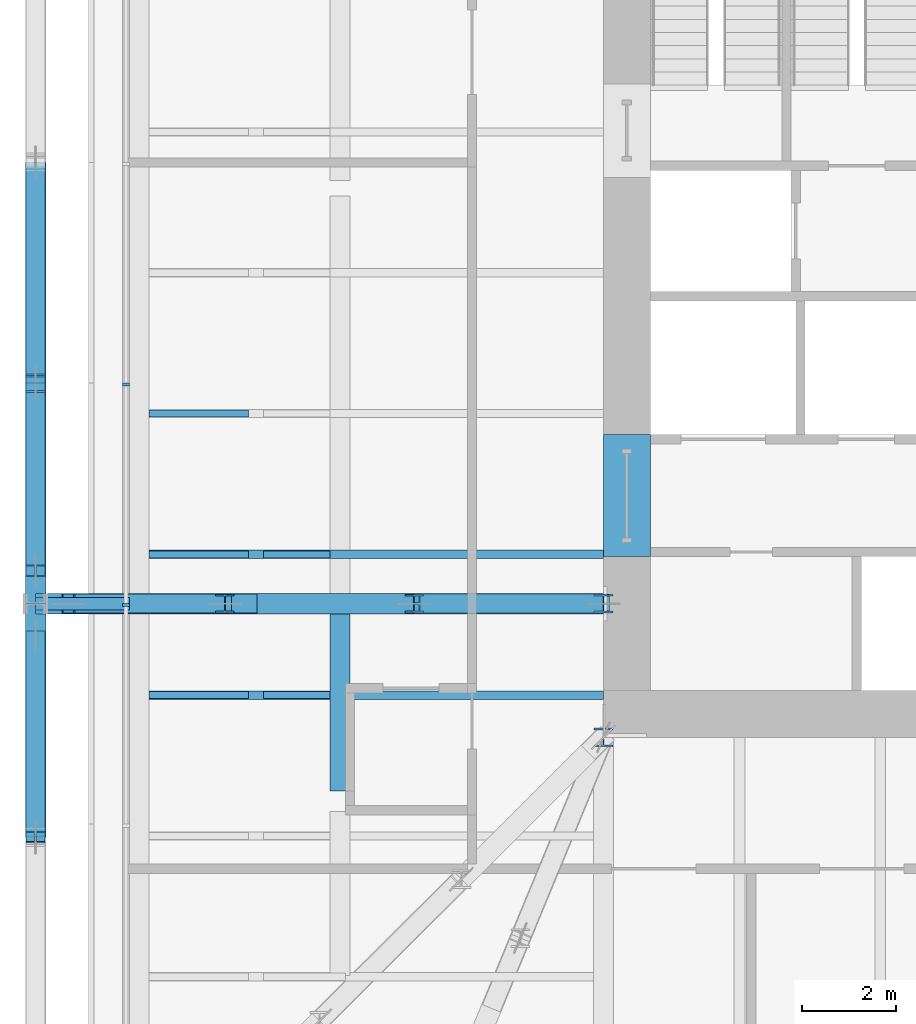
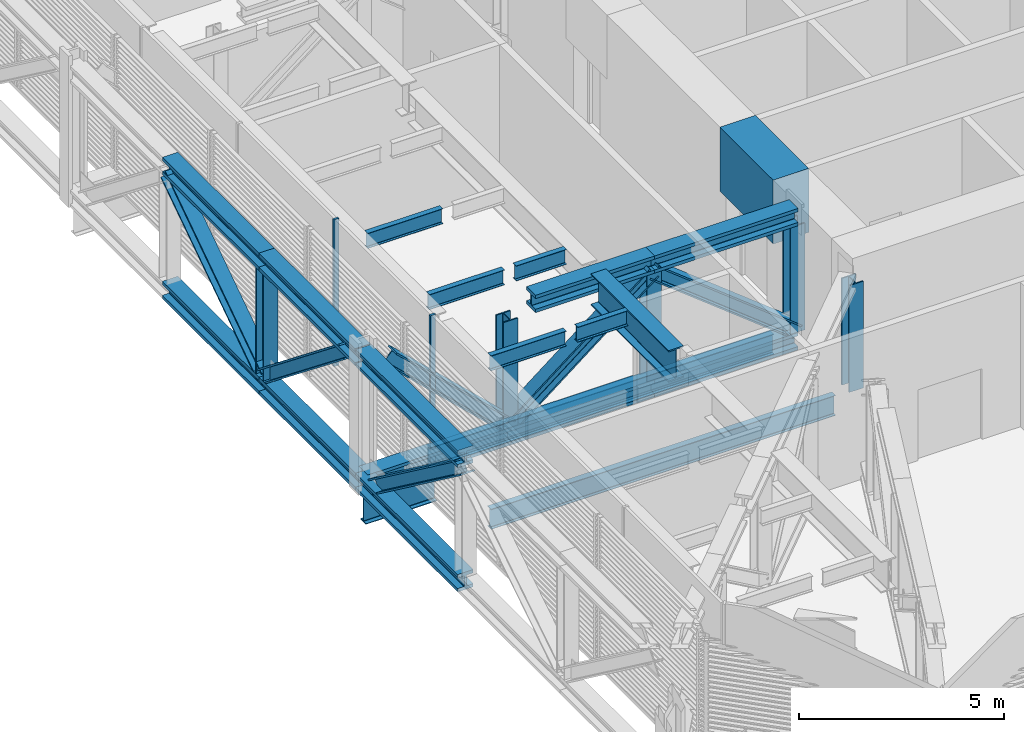
# One storey, part 6 of 33: 21 beams, 13 members, 1 element without a shape of its own.
"""IFC4 building model written with IfcOpenShell, lengths in metres."""

from ifc_helpers import new_model, si_unit, direction, frame, origin, origin_2d, place, context, subcontext, project, spatial, rectangle, i_section, extrude, material, layer, layer_set, material_profile, profile_set, type_object, element, aggregate, save


model = new_model("IFC4")

# Units and contexts
model_context = context("Model", 3, precision=1e-05, world=origin(), true_north=direction((0.0, 1.0)))
body_context = subcontext(model_context, "Body", "Model", "MODEL_VIEW")
ifc_project = project(units=[si_unit("LENGTHUNIT", "METRE"), si_unit("AREAUNIT", "SQUARE_METRE"), si_unit("VOLUMEUNIT", "CUBIC_METRE"), si_unit("PLANEANGLEUNIT", "RADIAN"), si_unit("MASSUNIT", "GRAM", prefix="KILO")], contexts=[model_context])

# Site, building, storey
site_placement = place(None, origin())
site = spatial("IfcSite", under=ifc_project, at=site_placement, CompositionType="ELEMENT")
building_placement = place(site_placement, origin())
building = spatial("IfcBuilding", under=site, at=building_placement, Name="Millrace Tower", CompositionType="ELEMENT")
storey_placement = place(building_placement, frame((0.0, 0.0, 64.10009765625)))
storey = spatial("IfcBuildingStorey", under=building, at=storey_placement, Name="L14", CompositionType="ELEMENT", Elevation=64.10009765625)

# Beams
ifc_material_1 = material(Name="Steel ASTM A992 Grade 50", Category="steel")
ifc_material_profile_1 = material_profile(ifc_material_1, i_section(OverallWidth=0.436767578125, OverallDepth=0.51318359375, WebThickness=0.060546875, FlangeThickness=0.096923828125, FilletRadius=0.01513671875, at=origin_2d()))
ifc_profile_set_1 = profile_set([ifc_material_profile_1], Name="Steel ASTM A992 Grade 50")
beam_type_1 = type_object("IfcBeamType", Name="Belt truss chord W14x550", PredefinedType="BEAM", material=ifc_profile_set_1)
for number, where, z_axis, x_axis, name in (
    (1, (-27.0, 2.35009765625, 0.25634765625), (0.0, -1.0, 0.0), (1.0, 0.0, 0.0), "BLT-L14-R15-B02"),
    (2, (-27.0, 2.35009765625, 3.943359375), (0.0, -1.0, 0.0), (1.0, 0.0, 0.0), "BLT-L14-R15-T02"),
):
    element("IfcBeam", number, at=place(storey_placement, frame(where, z_axis=z_axis, x_axis=x_axis)), inside=storey, type_object=beam_type_1, Name=name, PredefinedType="BEAM", context=body_context, shape_type="SweptSolid", body=[
        extrude(i_section(OverallWidth=0.436767578125, OverallDepth=0.51318359375, WebThickness=0.060546875, FlangeThickness=0.096923828125, FilletRadius=0.01513671875, at=origin_2d()), origin(), (0.0, 0.0, 1.0), 4.7001953125),
    ])
beam_1_placement = place(storey_placement, frame((-27.0, -2.35009765625, 0.25634765625), z_axis=(0.0, -1.0, 0.0), x_axis=(1.0, 0.0, 0.0)))
element("IfcBeam", 3, at=beam_1_placement, inside=storey, type_object=beam_type_1, Name="BLT-L14-R15-B03", PredefinedType="BEAM", context=body_context, shape_type="SweptSolid", body=[
    extrude(i_section(OverallWidth=0.436767578125, OverallDepth=0.51318359375, WebThickness=0.060546875, FlangeThickness=0.096923828125, FilletRadius=0.01513671875, at=origin_2d()), origin(), (0.0, 0.0, 1.0), 4.699951171875),
])
beam_2_placement = place(storey_placement, frame((-27.0, -7.050048828125, 0.25634765625), z_axis=(0.0, -1.0, 0.0), x_axis=(1.0, 0.0, 0.0)))
element("IfcBeam", 4, at=beam_2_placement, inside=storey, type_object=beam_type_1, Name="BLT-L14-R16-B01", PredefinedType="BEAM", context=body_context, shape_type="SweptSolid", body=[
    extrude(i_section(OverallWidth=0.436767578125, OverallDepth=0.51318359375, WebThickness=0.060546875, FlangeThickness=0.096923828125, FilletRadius=0.01513671875, at=origin_2d()), origin(), (0.0, 0.0, 1.0), 4.97607421875),
])
beam_3_placement = place(storey_placement, frame((-27.0, -2.35009765625, 3.943359375), z_axis=(0.0, -1.0, 0.0), x_axis=(1.0, 0.0, 0.0)))
element("IfcBeam", 5, at=beam_3_placement, inside=storey, type_object=beam_type_1, Name="BLT-L14-R15-T03", PredefinedType="BEAM", context=body_context, shape_type="SweptSolid", body=[
    extrude(i_section(OverallWidth=0.436767578125, OverallDepth=0.51318359375, WebThickness=0.060546875, FlangeThickness=0.096923828125, FilletRadius=0.01513671875, at=origin_2d()), origin(), (0.0, 0.0, 1.0), 4.6826171875),
])
beam_4_placement = place(storey_placement, frame((-27.0, -7.0673828125, 3.943359375), z_axis=(0.0, -1.0, 0.0), x_axis=(1.0, 0.0, 0.0)))
element("IfcBeam", 6, at=beam_4_placement, inside=storey, type_object=beam_type_1, Name="BLT-L14-R16-T01", PredefinedType="BEAM", context=body_context, shape_type="SweptSolid", body=[
    extrude(i_section(OverallWidth=0.436767578125, OverallDepth=0.51318359375, WebThickness=0.060546875, FlangeThickness=0.096923828125, FilletRadius=0.01513671875, at=origin_2d()), origin(), (0.0, 0.0, 1.0), 4.958740234375),
])

# Members
ifc_material_2 = material(Name="Steel ASTM A992 Grade 50", Category="steel")
ifc_material_profile_2 = material_profile(ifc_material_2, i_section(OverallWidth=0.40380859375, OverallDepth=0.406494140625, WebThickness=0.027099609375, FlangeThickness=0.043701171875, FilletRadius=0.01513671875, at=origin_2d()))
ifc_profile_set_2 = profile_set([ifc_material_profile_2], Name="Steel ASTM A992 Grade 50")
member_type_1 = type_object("IfcMemberType", Name="Belt truss diagonal W14x233", PredefinedType="BRACE", material=ifc_profile_set_2)
member_1_placement = place(storey_placement, frame((-27.0, -2.35009765625, 0.512939453125), z_axis=(0.0, 0.82875084798, 0.559617755233), x_axis=(-1.0, 0.0, 0.0)))
element("IfcMember", 7, at=member_1_placement, inside=storey, type_object=member_type_1, Name="BLT-L14-R15-D02", PredefinedType="BRACE", context=body_context, shape_type="SweptSolid", body=[
    extrude(i_section(OverallWidth=0.40380859375, OverallDepth=0.406494140625, WebThickness=0.027099609375, FlangeThickness=0.043701171875, FilletRadius=0.01513671875, at=origin_2d()), origin(), (0.0, 0.0, 1.0), 5.67138671875),
])
member_2_placement = place(storey_placement, frame((-27.0, -2.35009765625, 0.512939453125), z_axis=(0.0, -0.783362807967, 0.621564728001), x_axis=(1.0, 0.0, 0.0)))
element("IfcMember", 8, at=member_2_placement, inside=storey, type_object=member_type_1, Name="BLT-L14-R15-D03", PredefinedType="BRACE", context=body_context, shape_type="SweptSolid", body=[
    extrude(i_section(OverallWidth=0.40380859375, OverallDepth=0.406494140625, WebThickness=0.027099609375, FlangeThickness=0.043701171875, FilletRadius=0.01513671875, at=origin_2d()), origin(), (0.0, 0.0, 1.0), 5.106201171875),
])
member_3_placement = place(storey_placement, frame((-27.0, -7.75, 0.512939453125), z_axis=(0.0, -0.802988323282, 0.59599475893), x_axis=(1.0, 0.0, 0.0)))
element("IfcMember", 9, at=member_3_placement, inside=storey, type_object=member_type_1, Name="BLT-L14-R16-D01", PredefinedType="BRACE", context=body_context, shape_type="SweptSolid", body=[
    extrude(i_section(OverallWidth=0.40380859375, OverallDepth=0.406494140625, WebThickness=0.027099609375, FlangeThickness=0.043701171875, FilletRadius=0.01513671875, at=origin_2d()), origin(), (0.0, 0.0, 1.0), 5.3251953125),
])
ifc_material_3 = material(Name="Steel ASTM A992 Grade 50", Category="steel")
ifc_material_profile_3 = material_profile(ifc_material_3, i_section(OverallWidth=0.398681640625, OverallDepth=0.393798828125, WebThickness=0.022705078125, FlangeThickness=0.03662109375, FilletRadius=0.01513671875, at=origin_2d()))
ifc_profile_set_3 = profile_set([ifc_material_profile_3], Name="Steel ASTM A992 Grade 50")
member_type_2 = type_object("IfcMemberType", Name="Belt truss post W14x193", PredefinedType="POST", material=ifc_profile_set_3)
member_4_placement = place(storey_placement, frame((-27.0, -2.35009765625, 0.512939453125), z_axis=(0.0, 0.0, 1.0), x_axis=(1.0, 0.0, 0.0)))
element("IfcMember", 10, at=member_4_placement, inside=storey, type_object=member_type_2, Name="BLT-L14-R15-V02", PredefinedType="POST", context=body_context, shape_type="SweptSolid", body=[
    extrude(i_section(OverallWidth=0.398681640625, OverallDepth=0.393798828125, WebThickness=0.022705078125, FlangeThickness=0.03662109375, FilletRadius=0.01513671875, at=origin_2d()), origin(), (0.0, 0.0, 1.0), 3.173828125),
])

# Curtain wall, members
ifc_material_4 = material(Name="Aluminium and glass", Category="aluminium")
ifc_layer = layer(ifc_material_4, 0.14990234375)
ifc_layer_set = layer_set([ifc_layer], Name="Aluminium and glass")
curtain_wall_type = type_object("IfcCurtainWallType", Name="CW-5 truss and plant storey louvred infill", PredefinedType="NOTDEFINED", material=ifc_layer_set)
curtain_wall_placement = place(storey_placement, origin())
curtain_wall = element("IfcCurtainWall", 11, at=curtain_wall_placement, inside=storey, type_object=curtain_wall_type, Name="Curtain wall A-F08 L14", PredefinedType="NOTDEFINED")
ifc_material_5 = material(Name="Aluminium", Category="aluminium")
ifc_material_profile_4 = material_profile(ifc_material_5, rectangle(XDim=0.06494140625, YDim=0.14990234375, at=origin_2d()))
ifc_profile_set_4 = profile_set([ifc_material_profile_4], Name="Aluminium")
member_type_3 = type_object("IfcMemberType", Name="CW-5 truss and plant storey louvred infill mullion", PredefinedType="MULLION", material=ifc_profile_set_4)
member_5_placement = place(storey_placement, frame((-25.074951171875, -2.382568359375, 0.139892578125), z_axis=(0.0, 0.0, 1.0), x_axis=(0.0, -1.0, 0.0)))
member_5 = element("IfcMember", 12, at=member_5_placement, type_object=member_type_3, Name="CW5 mullion A-F08.6", PredefinedType="MULLION", context=body_context, shape_type="SweptSolid", body=[
    extrude(rectangle(XDim=0.06494140625, YDim=0.14990234375, at=origin_2d()), origin(), (0.0, 0.0, 1.0), 4.360107421875),
])
member_6_placement = place(storey_placement, frame((-25.074951171875, -7.08251953125, 0.139892578125), z_axis=(0.0, 0.0, 1.0), x_axis=(0.0, -1.0, 0.0)))
member_6 = element("IfcMember", 13, at=member_6_placement, type_object=member_type_3, Name="CW5 mullion A-F08.7", PredefinedType="MULLION", context=body_context, shape_type="SweptSolid", body=[
    extrude(rectangle(XDim=0.06494140625, YDim=0.14990234375, at=origin_2d()), origin(), (0.0, 0.0, 1.0), 4.360107421875),
])
aggregate(curtain_wall, [member_5, member_6])

# Beams
ifc_material_6 = material(Name="Concrete C80", Category="concrete")
ifc_material_profile_5 = material_profile(ifc_material_6, rectangle(XDim=1.0, YDim=1.89990234375, at=origin_2d()))
ifc_profile_set_5 = profile_set([ifc_material_profile_5], Name="Concrete C80")
beam_type_2 = type_object("IfcBeamType", Name="Coupling beam 1000 x 1900 Concrete C80, 2000 opening", PredefinedType="BEAM", material=ifc_profile_set_5)
beam_5_placement = place(storey_placement, frame((-14.39990234375, -6.050048828125, 3.349853515625), z_axis=(0.0, 1.0, 0.0), x_axis=(-1.0, 0.0, 0.0)))
element("IfcBeam", 14, at=beam_5_placement, inside=storey, type_object=beam_type_2, Name="Coupling beam W L14", PredefinedType="BEAM", context=body_context, shape_type="SweptSolid", body=[
    extrude(rectangle(XDim=1.0, YDim=1.89990234375, at=origin_2d()), origin(), (0.0, 0.0, 1.0), 2.60009765625),
])
ifc_material_7 = material(Name="Steel ASTM A992 Grade 50", Category="steel")
ifc_material_profile_6 = material_profile(ifc_material_7, i_section(OverallWidth=0.15234375, OverallDepth=0.449462890625, WebThickness=0.007568359375, FlangeThickness=0.0107421875, FilletRadius=0.01025390625, at=origin_2d()))
ifc_profile_set_6 = profile_set([ifc_material_profile_6], Name="Steel ASTM A992 Grade 50")
beam_type_3 = type_object("IfcBeamType", Name="Floor beam W18x35", PredefinedType="JOIST", material=ifc_profile_set_6)
beam_6_placement = place(storey_placement, frame((-24.578369140625, -9.0, 4.0751953125), z_axis=(1.0, 0.0, 0.0), x_axis=(0.0, 1.0, 0.0)))
element("IfcBeam", 15, at=beam_6_placement, inside=storey, type_object=beam_type_3, Name="BM-A-L14-R1-S006-a", PredefinedType="JOIST", context=body_context, shape_type="SweptSolid", body=[
    extrude(i_section(OverallWidth=0.15234375, OverallDepth=0.449462890625, WebThickness=0.007568359375, FlangeThickness=0.0107421875, FilletRadius=0.01025390625, at=origin_2d()), origin(), (0.0, 0.0, 1.0), 2.116943359375),
])
beam_7_placement = place(storey_placement, frame((-22.138427734375, -9.0, 4.0751953125), z_axis=(1.0, 0.0, 0.0), x_axis=(0.0, 1.0, 0.0)))
element("IfcBeam", 16, at=beam_7_placement, inside=storey, type_object=beam_type_3, Name="BM-A-L14-R1-S006-b", PredefinedType="JOIST", context=body_context, shape_type="SweptSolid", body=[
    extrude(i_section(OverallWidth=0.15234375, OverallDepth=0.449462890625, WebThickness=0.007568359375, FlangeThickness=0.0107421875, FilletRadius=0.01025390625, at=origin_2d()), origin(), (0.0, 0.0, 1.0), 1.416748046875),
])
beam_8_placement = place(storey_placement, frame((-24.578369140625, -6.0, 4.0751953125), z_axis=(1.0, 0.0, 0.0), x_axis=(0.0, 1.0, 0.0)))
element("IfcBeam", 17, at=beam_8_placement, inside=storey, type_object=beam_type_3, Name="BM-A-L14-R1-S007-a", PredefinedType="JOIST", context=body_context, shape_type="SweptSolid", body=[
    extrude(i_section(OverallWidth=0.15234375, OverallDepth=0.449462890625, WebThickness=0.007568359375, FlangeThickness=0.0107421875, FilletRadius=0.01025390625, at=origin_2d()), origin(), (0.0, 0.0, 1.0), 2.116943359375),
])
beam_9_placement = place(storey_placement, frame((-22.138427734375, -6.0, 4.0751953125), z_axis=(1.0, 0.0, 0.0), x_axis=(0.0, 1.0, 0.0)))
element("IfcBeam", 18, at=beam_9_placement, inside=storey, type_object=beam_type_3, Name="BM-A-L14-R1-S007-b", PredefinedType="JOIST", context=body_context, shape_type="SweptSolid", body=[
    extrude(i_section(OverallWidth=0.15234375, OverallDepth=0.449462890625, WebThickness=0.007568359375, FlangeThickness=0.0107421875, FilletRadius=0.01025390625, at=origin_2d()), origin(), (0.0, 0.0, 1.0), 1.416748046875),
])
beam_10_placement = place(storey_placement, frame((-24.578369140625, -3.0, 4.0751953125), z_axis=(1.0, 0.0, 0.0), x_axis=(0.0, 1.0, 0.0)))
element("IfcBeam", 19, at=beam_10_placement, inside=storey, type_object=beam_type_3, Name="BM-A-L14-R1-S008-a", PredefinedType="JOIST", context=body_context, shape_type="SweptSolid", body=[
    extrude(i_section(OverallWidth=0.15234375, OverallDepth=0.449462890625, WebThickness=0.007568359375, FlangeThickness=0.0107421875, FilletRadius=0.01025390625, at=origin_2d()), origin(), (0.0, 0.0, 1.0), 2.116943359375),
])
ifc_material_8 = material(Name="Steel ASTM A992 Grade 50", Category="steel")
ifc_material_profile_7 = material_profile(ifc_material_8, i_section(OverallWidth=0.177978515625, OverallDepth=0.599365234375, WebThickness=0.010009765625, FlangeThickness=0.012939453125, FilletRadius=0.012939453125, at=origin_2d()))
ifc_profile_set_7 = profile_set([ifc_material_profile_7], Name="Steel ASTM A992 Grade 50")
beam_type_4 = type_object("IfcBeamType", Name="Floor beam W24x55", PredefinedType="JOIST", material=ifc_profile_set_7)
for number, where, z_axis, x_axis, name in (
    (20, (-24.578369140625, -9.0, -0.5498046875), (1.0, 0.0, 0.0), (0.0, 1.0, 0.0), "BM-A-L14-S1-S012"),
    (21, (-24.578369140625, -6.0, -0.5498046875), (1.0, 0.0, 0.0), (0.0, 1.0, 0.0), "BM-A-L14-S1-S015"),
):
    element("IfcBeam", number, at=place(storey_placement, frame(where, z_axis=z_axis, x_axis=x_axis)), inside=storey, type_object=beam_type_4, Name=name, PredefinedType="JOIST", context=body_context, shape_type="SweptSolid", body=[
        extrude(i_section(OverallWidth=0.177978515625, OverallDepth=0.599365234375, WebThickness=0.010009765625, FlangeThickness=0.012939453125, FilletRadius=0.012939453125, at=origin_2d()), origin(), (0.0, 0.0, 1.0), 9.678466796875),
    ])
ifc_material_9 = material(Name="Steel ASTM A992 Grade 50", Category="steel")
ifc_material_profile_8 = material_profile(ifc_material_9, i_section(OverallWidth=0.2666015625, OverallDepth=0.7568359375, WebThickness=0.013916015625, FlangeThickness=0.019287109375, FilletRadius=0.0166015625, at=origin_2d()))
ifc_profile_set_8 = profile_set([ifc_material_profile_8], Name="Steel ASTM A992 Grade 50")
beam_type_5 = type_object("IfcBeamType", Name="Link beam W30x108", PredefinedType="BEAM", material=ifc_profile_set_8)
beam_11_placement = place(storey_placement, frame((-25.0, -7.050048828125, -0.628662109375), z_axis=(-1.0, 0.0, 0.0), x_axis=(0.0, -1.0, 0.0)))
element("IfcBeam", 22, at=beam_11_placement, inside=storey, type_object=beam_type_5, Name="LNK-A-L14-S1-02", PredefinedType="BEAM", context=body_context, shape_type="SweptSolid", body=[
    extrude(i_section(OverallWidth=0.2666015625, OverallDepth=0.7568359375, WebThickness=0.013916015625, FlangeThickness=0.019287109375, FilletRadius=0.0166015625, at=origin_2d()), origin(), (0.0, 0.0, 1.0), 2.0),
])
ifc_material_10 = material(Name="Steel ASTM A992 Grade 50", Category="steel")
ifc_material_profile_9 = material_profile(ifc_material_10, i_section(OverallWidth=0.436767578125, OverallDepth=0.51318359375, WebThickness=0.060546875, FlangeThickness=0.096923828125, FilletRadius=0.01513671875, at=origin_2d()))
ifc_profile_set_9 = profile_set([ifc_material_profile_9], Name="Steel ASTM A992 Grade 50")
beam_type_6 = type_object("IfcBeamType", Name="Outrigger truss chord W14x550", PredefinedType="BEAM", material=ifc_profile_set_9)
for number, where, z_axis, x_axis, name in (
    (23, (-14.89990234375, -7.050048828125, 0.25634765625), (-1.0, 0.0, 0.0), (0.0, -1.0, 0.0), "BLT-L14-O16-B01"),
    (24, (-14.89990234375, -7.050048828125, 3.943359375), (-1.0, 0.0, 0.0), (0.0, -1.0, 0.0), "BLT-L14-O16-T01"),
):
    element("IfcBeam", number, at=place(storey_placement, frame(where, z_axis=z_axis, x_axis=x_axis)), inside=storey, type_object=beam_type_6, Name=name, PredefinedType="BEAM", context=body_context, shape_type="SweptSolid", body=[
        extrude(i_section(OverallWidth=0.436767578125, OverallDepth=0.51318359375, WebThickness=0.060546875, FlangeThickness=0.096923828125, FilletRadius=0.01513671875, at=origin_2d()), origin(), (0.0, 0.0, 1.0), 4.033447265625),
    ])
beam_12_placement = place(storey_placement, frame((-18.933349609375, -7.050048828125, 0.25634765625), z_axis=(-1.0, 0.0, 0.0), x_axis=(0.0, -1.0, 0.0)))
element("IfcBeam", 25, at=beam_12_placement, inside=storey, type_object=beam_type_6, Name="BLT-L14-O16-B02", PredefinedType="BEAM", context=body_context, shape_type="SweptSolid", body=[
    extrude(i_section(OverallWidth=0.436767578125, OverallDepth=0.51318359375, WebThickness=0.060546875, FlangeThickness=0.096923828125, FilletRadius=0.01513671875, at=origin_2d()), origin(), (0.0, 0.0, 1.0), 4.033203125),
])
beam_13_placement = place(storey_placement, frame((-22.966552734375, -7.050048828125, 0.25634765625), z_axis=(-1.0, 0.0, 0.0), x_axis=(0.0, -1.0, 0.0)))
element("IfcBeam", 26, at=beam_13_placement, inside=storey, type_object=beam_type_6, Name="BLT-L14-O16-B03", PredefinedType="BEAM", context=body_context, shape_type="SweptSolid", body=[
    extrude(i_section(OverallWidth=0.436767578125, OverallDepth=0.51318359375, WebThickness=0.060546875, FlangeThickness=0.096923828125, FilletRadius=0.01513671875, at=origin_2d()), origin(), (0.0, 0.0, 1.0), 4.033447265625),
])
beam_14_placement = place(storey_placement, frame((-18.933349609375, -7.050048828125, 3.943359375), z_axis=(-1.0, 0.0, 0.0), x_axis=(0.0, -1.0, 0.0)))
element("IfcBeam", 27, at=beam_14_placement, inside=storey, type_object=beam_type_6, Name="BLT-L14-O16-T02", PredefinedType="BEAM", context=body_context, shape_type="SweptSolid", body=[
    extrude(i_section(OverallWidth=0.436767578125, OverallDepth=0.51318359375, WebThickness=0.060546875, FlangeThickness=0.096923828125, FilletRadius=0.01513671875, at=origin_2d()), origin(), (0.0, 0.0, 1.0), 3.349365234375),
])

# Members
ifc_material_11 = material(Name="Steel ASTM A992 Grade 50", Category="steel")
ifc_material_profile_10 = material_profile(ifc_material_11, i_section(OverallWidth=0.40380859375, OverallDepth=0.406494140625, WebThickness=0.027099609375, FlangeThickness=0.043701171875, FilletRadius=0.01513671875, at=origin_2d()))
ifc_profile_set_10 = profile_set([ifc_material_profile_10], Name="Steel ASTM A992 Grade 50")
member_type_4 = type_object("IfcMemberType", Name="Outrigger truss diagonal W14x233", PredefinedType="BRACE", material=ifc_profile_set_10)
for number, where, z_axis, x_axis, name in (
    (28, (-14.89990234375, -7.050048828125, 0.512939453125), (-0.785874115932, 0.0, 0.618386508511), (0.0, -1.0, 0.0), "BLT-L14-O16-D01"),
    (29, (-22.966552734375, -7.050048828125, 0.512939453125), (0.785855924746, 0.0, 0.61840962601), (0.0, 1.0, 0.0), "BLT-L14-O16-D02"),
):
    element("IfcMember", number, at=place(storey_placement, frame(where, z_axis=z_axis, x_axis=x_axis)), inside=storey, type_object=member_type_4, Name=name, PredefinedType="BRACE", context=body_context, shape_type="SweptSolid", body=[
        extrude(i_section(OverallWidth=0.40380859375, OverallDepth=0.406494140625, WebThickness=0.027099609375, FlangeThickness=0.043701171875, FilletRadius=0.01513671875, at=origin_2d()), origin(), (0.0, 0.0, 1.0), 5.13232421875),
    ])
member_7_placement = place(storey_placement, frame((-22.966552734375, -7.050048828125, 0.512939453125), z_axis=(-0.724238835999, 0.0, 0.689549206678), x_axis=(0.0, -1.0, 0.0)))
element("IfcMember", 30, at=member_7_placement, inside=storey, type_object=member_type_4, Name="BLT-L14-O16-D03", PredefinedType="BRACE", context=body_context, shape_type="SweptSolid", body=[
    extrude(i_section(OverallWidth=0.40380859375, OverallDepth=0.406494140625, WebThickness=0.027099609375, FlangeThickness=0.043701171875, FilletRadius=0.01513671875, at=origin_2d()), origin(), (0.0, 0.0, 1.0), 4.602783203125),
])
ifc_material_12 = material(Name="Steel ASTM A992 Grade 50", Category="steel")
ifc_material_profile_11 = material_profile(ifc_material_12, i_section(OverallWidth=0.398681640625, OverallDepth=0.393798828125, WebThickness=0.022705078125, FlangeThickness=0.03662109375, FilletRadius=0.01513671875, at=origin_2d()))
ifc_profile_set_11 = profile_set([ifc_material_profile_11], Name="Steel ASTM A992 Grade 50")
member_type_5 = type_object("IfcMemberType", Name="Outrigger truss post W14x193", PredefinedType="POST", material=ifc_profile_set_11)
for number, where, z_axis, x_axis, name in (
    (31, (-14.89990234375, -9.89990234375, 0.512939453125), (0.0, 0.0, 1.0), (1.0, 0.0, 0.0), "BLT-L14-O01-V00"),
    (32, (-14.89990234375, -7.050048828125, 0.512939453125), (0.0, 0.0, 1.0), (1.0, 0.0, 0.0), "BLT-L14-O16-V00"),
    (33, (-18.933349609375, -7.050048828125, 0.512939453125), (0.0, 0.0, 1.0), (1.0, 0.0, 0.0), "BLT-L14-O16-V01"),
    (34, (-22.966552734375, -7.050048828125, 0.512939453125), (0.0, 0.0, 1.0), (1.0, 0.0, 0.0), "BLT-L14-O16-V02"),
):
    element("IfcMember", number, at=place(storey_placement, frame(where, z_axis=z_axis, x_axis=x_axis)), inside=storey, type_object=member_type_5, Name=name, PredefinedType="POST", context=body_context, shape_type="SweptSolid", body=[
        extrude(i_section(OverallWidth=0.398681640625, OverallDepth=0.393798828125, WebThickness=0.022705078125, FlangeThickness=0.03662109375, FilletRadius=0.01513671875, at=origin_2d()), origin(), (0.0, 0.0, 1.0), 3.173828125),
    ])

# Beam
ifc_material_13 = material(Name="Steel ASTM A992 Grade 50", Category="steel")
ifc_material_profile_12 = material_profile(ifc_material_13, i_section(OverallWidth=0.421630859375, OverallDepth=0.937255859375, WebThickness=0.021240234375, FlangeThickness=0.03662109375, FilletRadius=0.024169921875, at=origin_2d()))
ifc_profile_set_12 = profile_set([ifc_material_profile_12], Name="Steel ASTM A992 Grade 50")
beam_type_7 = type_object("IfcBeamType", Name="Ring beam short span W36x262", PredefinedType="SPANDREL", material=ifc_profile_set_12)
beam_15_placement = place(storey_placement, frame((-20.5107421875, -7.271240234375, 3.831298828125), z_axis=(0.0, -1.0, 0.0), x_axis=(1.0, 0.0, 0.0)))
element("IfcBeam", 35, at=beam_15_placement, inside=storey, type_object=beam_type_7, Name="RNG-A-L14-R1-13-a-b-b-a", PredefinedType="SPANDREL", context=body_context, shape_type="SweptSolid", body=[
    extrude(i_section(OverallWidth=0.421630859375, OverallDepth=0.937255859375, WebThickness=0.021240234375, FlangeThickness=0.03662109375, FilletRadius=0.024169921875, at=origin_2d()), origin(), (0.0, 0.0, 1.0), 3.774658203125),
])

save(model, "model.ifc")
